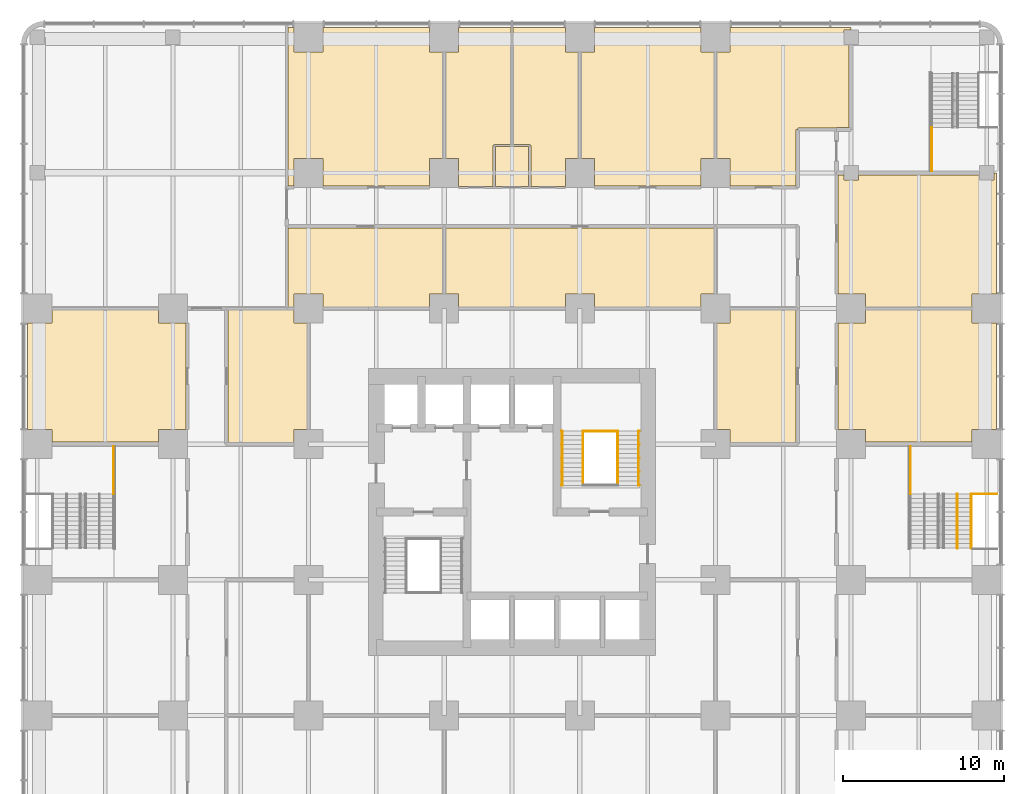
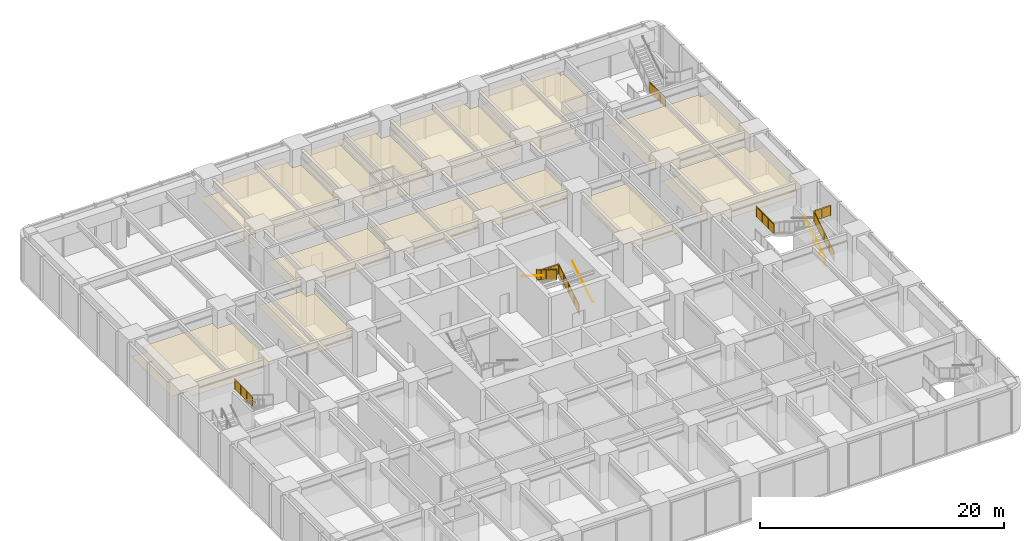
# One storey, part 16 of 17: 13 coverings, 11 railings.
"""IFC4 building model written with IfcOpenShell, lengths in metres."""

import ifcopenshell
import ifcopenshell.guid

model = None  # the IFC model being written
_history = None  # IfcOwnerHistory: only IFC2X3 demands one
_inside = {}  # id of a spatial element -> (the spatial element, [elements in it])
_under = {}  # id of a project, library or spatial element -> (it, [spatial elements below it])
_declared = {}  # id of a project -> (the project, [libraries it declares])
_typed = {}  # id of a type object -> (the type object, [elements of that type])
_made_of = {}  # id of a material, layer set ... -> (it, [elements and type objects made of it])


def new_model(schema):
    """Start an empty IFC model of exactly this schema.

    Asked for "IFC4X3", IfcOpenShell would pick the latest addendum, in which some entities
    have other attributes; the version numbers below select the first issue.
    IFC2X3 requires an IfcOwnerHistory on every rooted entity: one is made here for all.
    """
    global model, _history
    if schema == "IFC4X3":
        model = ifcopenshell.file(schema_version=(4, 3, 0, 0))
    else:
        model = ifcopenshell.file(schema=schema)
    _inside.clear()
    _under.clear()
    _declared.clear()
    _typed.clear()
    _made_of.clear()
    _history = None
    if model.schema == "IFC2X3":
        org = make("IfcOrganization", Name="unknown")
        user = make(
            "IfcPersonAndOrganization",
            ThePerson=make("IfcPerson", FamilyName="unknown"),
            TheOrganization=org,
        )
        app = make(
            "IfcApplication",
            ApplicationDeveloper=org,
            Version="unknown",
            ApplicationFullName="unknown",
            ApplicationIdentifier="unknown",
        )
        _history = make(
            "IfcOwnerHistory",
            OwningUser=user,
            OwningApplication=app,
            ChangeAction="ADDED",
            CreationDate=0,
        )
    return model


def make(cls, **values):
    """One entity of the class cls with the attributes given. An attribute that is None is left unset."""
    return model.create_entity(
        cls, **{name: value for name, value in values.items() if value is not None}
    )


def rooted(cls, **values):
    """An entity with a GlobalId (a new one), such as an element, a storey or a relation."""
    return make(cls, GlobalId=ifcopenshell.guid.new(), OwnerHistory=_history, **values)


def si_unit(unit_type, name, prefix=None):
    """IfcSIUnit, for example si_unit("LENGTHUNIT", "METRE", prefix="MILLI")."""
    return make("IfcSIUnit", UnitType=unit_type, Prefix=prefix, Name=name)


def assignment(units):
    """IfcUnitAssignment: the units of a project."""
    return None if units is None else make("IfcUnitAssignment", Units=units)


def point(xyz):
    """IfcCartesianPoint."""
    return None if xyz is None else make("IfcCartesianPoint", Coordinates=xyz)


def direction(xyz):
    """IfcDirection."""
    return None if xyz is None else make("IfcDirection", DirectionRatios=xyz)


def frame(location, z_axis=None, x_axis=None):
    """IfcAxis2Placement3D, a coordinate frame: its origin and axes. An axis left out is left unset."""
    return make(
        "IfcAxis2Placement3D",
        Location=point(location),
        Axis=direction(z_axis),
        RefDirection=direction(x_axis),
    )


def frame_2d(location, x_axis=None):
    """IfcAxis2Placement2D, a coordinate frame in the plane: its origin and x axis."""
    return make(
        "IfcAxis2Placement2D", Location=point(location), RefDirection=direction(x_axis)
    )


def origin():
    """The frame at (0, 0, 0) with its axes left unset."""
    return frame((0.0, 0.0, 0.0))


def origin_2d():
    """The frame at (0, 0) in the plane with its x axis left unset."""
    return frame_2d((0.0, 0.0))


def place(relative_to, where):
    """IfcLocalPlacement: puts the frame where relative to a parent placement (None: the world)."""
    return make(
        "IfcLocalPlacement", PlacementRelTo=relative_to, RelativePlacement=where
    )


def context(
    kind, dimensions, precision=None, world=None, true_north=None, identifier=None
):
    """IfcGeometricRepresentationContext, for example the 3D "Model" context."""
    return make(
        "IfcGeometricRepresentationContext",
        ContextIdentifier=identifier,
        ContextType=kind,
        CoordinateSpaceDimension=dimensions,
        Precision=precision,
        WorldCoordinateSystem=world,
        TrueNorth=true_north,
    )


def subcontext(parent, identifier, kind, view, scale=None):
    """IfcGeometricRepresentationSubContext, for example "Body" below "Model"."""
    return make(
        "IfcGeometricRepresentationSubContext",
        ContextIdentifier=identifier,
        ContextType=kind,
        ParentContext=parent,
        TargetScale=scale,
        TargetView=view,
    )


def project(units=None, contexts=None):
    """IfcProject with its units and contexts."""
    return rooted(
        "IfcProject",
        Name="project",
        RepresentationContexts=contexts,
        UnitsInContext=assignment(units),
    )


def spatial(cls, under=None, at=None, **own):
    """A site, building, storey or space (cls), placed at a placement, below another one or the project."""
    s = rooted(cls, ObjectPlacement=at, **own)
    if under is not None:
        _under.setdefault(under.id(), (under, []))[1].append(s)
    return s


def polyline(points):
    """IfcPolyline through the points."""
    return make("IfcPolyline", Points=[point(p) for p in points])


def profile(cls, at=None, kind="AREA", **sizes):
    """A parametric profile (cls). Its sizes go by their IFC names, for example OverallWidth=200.0."""
    return make(cls, ProfileType=kind, Position=at, **sizes)


def circle(**sizes):
    """IfcCircleProfileDef."""
    return profile("IfcCircleProfileDef", **sizes)


def outline(outer, holes=None, kind="AREA"):
    """IfcArbitraryClosedProfileDef: a profile drawn as a closed curve; with holes, ...WithVoids."""
    if holes is None:
        return make("IfcArbitraryClosedProfileDef", ProfileType=kind, OuterCurve=outer)
    return make(
        "IfcArbitraryProfileDefWithVoids",
        ProfileType=kind,
        OuterCurve=outer,
        InnerCurves=holes,
    )


def extrude(swept, where, along, depth):
    """IfcExtrudedAreaSolid: the profile swept, set in the frame where, extruded along a direction by depth."""
    return make(
        "IfcExtrudedAreaSolid",
        SweptArea=swept,
        Position=where,
        ExtrudedDirection=direction(along),
        Depth=depth,
    )


def shape(context_of_items, identifier, shape_type, items):
    """IfcShapeRepresentation: the items that make up one representation, for example the "Body"."""
    return make(
        "IfcShapeRepresentation",
        ContextOfItems=context_of_items,
        RepresentationIdentifier=identifier,
        RepresentationType=shape_type,
        Items=items,
    )


def material(Name=None, Category=None):
    """IfcMaterial."""
    return make("IfcMaterial", Name=Name, Category=Category)


def layer(
    of_material, thickness, ventilated=None, Name=None, Category=None, Priority=None
):
    """IfcMaterialLayer: one layer of a wall or slab, of a material (None: an air gap)."""
    return make(
        "IfcMaterialLayer",
        Material=of_material,
        LayerThickness=thickness,
        IsVentilated=ventilated,
        Name=Name,
        Category=Category,
        Priority=Priority,
    )


def layer_set(layers, Name=None):
    """IfcMaterialLayerSet."""
    return make("IfcMaterialLayerSet", MaterialLayers=layers, LayerSetName=Name)


def made_of(thing, what):
    """Note that an element or type object is made of a material, layer set ...; save() writes the relation."""
    if what is not None:
        _made_of.setdefault(what.id(), (what, []))[1].append(thing)
    return thing


def type_object(cls, material=None, **own):
    """A type object (cls), such as IfcWallType, which elements share."""
    return made_of(rooted(cls, **own), material)


def element(
    cls,
    number,
    at=None,
    inside=None,
    cuts=None,
    type_object=None,
    material=None,
    context=None,
    identifier="Body",
    shape_type=None,
    held_by="IfcProductDefinitionShape",
    body=None,
    shapes=None,
    **own,
):
    """One element of the class cls, such as IfcWall. Its Tag is "e" and its number.

    at: its placement. inside: the storey or other place that contains it. cuts: it is an
    opening in that element (IfcRelVoidsElement). A single representation is given by context,
    identifier, shape_type and body (its items); several are given by shapes. held_by: the class
    of the entity that holds the representations. save() writes the other relations.
    """
    e = rooted(cls, Tag="e%d" % number, ObjectPlacement=at, **own)
    if body is not None:
        shapes = [shape(context, identifier, shape_type, body)]
    if shapes is not None:
        e.Representation = make(held_by, Representations=shapes)
    if inside is not None:
        _inside.setdefault(inside.id(), (inside, []))[1].append(e)
    if cuts is not None:
        rooted(
            "IfcRelVoidsElement", RelatingBuildingElement=cuts, RelatedOpeningElement=e
        )
    if type_object is not None:
        _typed.setdefault(type_object.id(), (type_object, []))[1].append(e)
    return made_of(e, material)


def aggregate(whole, parts):
    """IfcRelAggregates: a whole, such as a stair, and the parts it consists of."""
    return rooted("IfcRelAggregates", RelatingObject=whole, RelatedObjects=parts)


def save(model, path):
    """Write the relations noted so far, then the file.

    IfcRelAggregates (storeys below a building ...), IfcRelContainedInSpatialStructure (elements
    in a storey), IfcRelDefinesByType, IfcRelAssociatesMaterial and IfcRelDeclares: one each for
    every whole, place, type object, material and project.
    """
    for whole, parts in _under.values():
        aggregate(whole, parts)
    for where, things in _inside.values():
        rooted(
            "IfcRelContainedInSpatialStructure",
            RelatedElements=things,
            RelatingStructure=where,
        )
    for kind, things in _typed.values():
        rooted("IfcRelDefinesByType", RelatedObjects=things, RelatingType=kind)
    for what, things in _made_of.values():
        rooted("IfcRelAssociatesMaterial", RelatedObjects=things, RelatingMaterial=what)
    for by, libraries in _declared.values():
        rooted("IfcRelDeclares", RelatingContext=by, RelatedDefinitions=libraries)
    model.write(path)


model = new_model("IFC4")

# Units and contexts
model_context = context("Model", 3, precision=1e-05, world=origin(), true_north=direction((0.0, 1.0)))
body_context = subcontext(model_context, "Body", "Model", "MODEL_VIEW")
ifc_project = project(units=[si_unit("LENGTHUNIT", "METRE"), si_unit("AREAUNIT", "SQUARE_METRE"), si_unit("VOLUMEUNIT", "CUBIC_METRE"), si_unit("PLANEANGLEUNIT", "RADIAN"), si_unit("MASSUNIT", "GRAM", prefix="KILO")], contexts=[model_context])

# Site, building, storey
site_placement = place(None, origin())
site = spatial("IfcSite", under=ifc_project, at=site_placement, CompositionType="ELEMENT")
building_placement = place(site_placement, origin())
building = spatial("IfcBuilding", under=site, at=building_placement, Name="Torre Alcanfor", CompositionType="ELEMENT")
storey_placement = place(building_placement, frame((0.0, 0.0, 19.5)))
storey = spatial("IfcBuildingStorey", under=building, at=storey_placement, Name="L04", CompositionType="ELEMENT", Elevation=19.5)

# Coverings
ifc_material_1 = material(Name="Mineral fibre acoustic tile 20 mm, NRC 0.70, on exposed suspension grid", Category="mineral fibre")
ifc_layer_1 = layer(ifc_material_1, 0.02001953125)
ifc_layer_set_1 = layer_set([ifc_layer_1], Name="Acoustic suspended ceiling 600x600 mineral fibre tile")
covering_type_1 = type_object("IfcCoveringType", Name="Acoustic suspended ceiling 600x600 mineral fibre tile", PredefinedType="CEILING", material=ifc_layer_set_1)
covering_1_placement = place(storey_placement, frame((0.0, 0.0, 2.75)))
element("IfcCovering", 1, at=covering_1_placement, inside=storey, type_object=covering_type_1, Name="Ceiling L04-12", PredefinedType="CEILING", context=body_context, shape_type="SweptSolid", body=[
    extrude(outline(polyline([(0.89990234375, 41.925048828125), (0.89990234375, 41.10009765625), (-0.625, 41.10009765625), (-0.625, 34.5), (0.89990234375, 34.5), (0.89990234375, 33.72509765625), (7.5, 33.72509765625), (7.5, 34.5), (9.199951171875, 34.5), (9.199951171875, 41.10009765625), (7.5, 41.10009765625), (7.5, 41.925048828125), (0.89990234375, 41.925048828125)])), origin(), (0.0, 0.0, 1.0), 0.02001953125),
])
covering_2_placement = place(storey_placement, frame((0.0, 0.0, 2.75)))
element("IfcCovering", 2, at=covering_2_placement, inside=storey, type_object=covering_type_1, Name="Ceiling L04-13", PredefinedType="CEILING", context=body_context, shape_type="SweptSolid", body=[
    extrude(outline(polyline([(51.300048828125, 41.925048828125), (51.300048828125, 41.10009765625), (49.60009765625, 41.10009765625), (49.60009765625, 34.5), (51.300048828125, 34.5), (51.300048828125, 33.72509765625), (57.89990234375, 33.72509765625), (57.89990234375, 34.5), (59.425048828125, 34.5), (59.425048828125, 41.10009765625), (57.89990234375, 41.10009765625), (57.89990234375, 41.925048828125), (51.300048828125, 41.925048828125)])), origin(), (0.0, 0.0, 1.0), 0.02001953125),
])
covering_3_placement = place(storey_placement, frame((0.0, 0.0, 2.75)))
element("IfcCovering", 3, at=covering_3_placement, inside=storey, type_object=covering_type_1, Name="Ceiling L04-14", PredefinedType="CEILING", context=body_context, shape_type="SweptSolid", body=[
    extrude(outline(polyline([(58.35009765625, 50.27490234375), (50.85009765625, 50.27490234375), (50.85009765625, 49.949951171875), (49.949951171875, 49.949951171875), (49.949951171875, 50.27490234375), (49.60009765625, 50.27490234375), (49.60009765625, 42.89990234375), (51.300048828125, 42.89990234375), (51.300048828125, 42.074951171875), (57.89990234375, 42.074951171875), (57.89990234375, 42.89990234375), (59.425048828125, 42.89990234375), (59.425048828125, 50.39990234375), (59.25, 50.39990234375), (59.25, 49.949951171875), (58.35009765625, 49.949951171875), (58.35009765625, 50.27490234375)])), origin(), (0.0, 0.0, 1.0), 0.02001953125),
])
covering_4_placement = place(storey_placement, frame((0.0, 0.0, 2.75)))
element("IfcCovering", 4, at=covering_4_placement, inside=storey, type_object=covering_type_1, Name="Ceiling L04-15", PredefinedType="CEILING", context=body_context, shape_type="SweptSolid", body=[
    extrude(outline(polyline([(17.699951171875, 57.89990234375), (15.89990234375, 57.89990234375), (15.89990234375, 59.425048828125), (15.52490234375, 59.425048828125), (15.52490234375, 49.60009765625), (15.89990234375, 49.60009765625), (15.89990234375, 51.300048828125), (17.699951171875, 51.300048828125), (17.699951171875, 49.60009765625), (24.300048828125, 49.60009765625), (24.300048828125, 51.300048828125), (25.125, 51.300048828125), (25.125, 57.89990234375), (24.300048828125, 57.89990234375), (24.300048828125, 59.425048828125), (17.699951171875, 59.425048828125), (17.699951171875, 57.89990234375)])), origin(), (0.0, 0.0, 1.0), 0.02001953125),
])
covering_5_placement = place(storey_placement, frame((0.0, 0.0, 2.75)))
element("IfcCovering", 5, at=covering_5_placement, inside=storey, type_object=covering_type_1, Name="Ceiling L04-16", PredefinedType="CEILING", context=body_context, shape_type="SweptSolid", body=[
    extrude(outline(polyline([(33.675048828125, 51.300048828125), (34.5, 51.300048828125), (34.5, 49.60009765625), (41.10009765625, 49.60009765625), (41.10009765625, 51.300048828125), (41.925048828125, 51.300048828125), (41.925048828125, 57.89990234375), (41.10009765625, 57.89990234375), (41.10009765625, 59.425048828125), (34.5, 59.425048828125), (34.5, 57.89990234375), (33.675048828125, 57.89990234375), (33.675048828125, 51.300048828125)])), origin(), (0.0, 0.0, 1.0), 0.02001953125),
])
covering_6_placement = place(storey_placement, frame((0.0, 0.0, 2.75)))
element("IfcCovering", 6, at=covering_6_placement, inside=storey, type_object=covering_type_1, Name="Ceiling L04-18", PredefinedType="CEILING", context=body_context, shape_type="SweptSolid", body=[
    extrude(outline(polyline([(42.074951171875, 51.300048828125), (42.89990234375, 51.300048828125), (42.89990234375, 49.60009765625), (47.0, 49.60009765625), (47.0, 53.10009765625), (47.10009765625, 53.10009765625), (47.10009765625, 53.199951171875), (49.5, 53.199951171875), (49.5, 53.22509765625), (50.27490234375, 53.22509765625), (50.27490234375, 58.35009765625), (49.949951171875, 58.35009765625), (49.949951171875, 59.25), (50.39990234375, 59.25), (50.39990234375, 59.425048828125), (42.89990234375, 59.425048828125), (42.89990234375, 57.89990234375), (42.074951171875, 57.89990234375), (42.074951171875, 51.300048828125)])), origin(), (0.0, 0.0, 1.0), 0.02001953125),
])
covering_7_placement = place(storey_placement, frame((0.0, 0.0, 3.0)))
element("IfcCovering", 7, at=covering_7_placement, inside=storey, type_object=covering_type_1, Name="Ceiling L04-I06", PredefinedType="CEILING", context=body_context, shape_type="SweptSolid", body=[
    extrude(outline(polyline([(15.89990234375, 33.699951171875), (15.89990234375, 34.5), (16.699951171875, 34.5), (16.699951171875, 41.10009765625), (15.89990234375, 41.10009765625), (15.89990234375, 41.925048828125), (11.800048828125, 41.925048828125), (11.800048828125, 33.699951171875), (15.89990234375, 33.699951171875)])), origin(), (0.0, 0.0, 1.0), 0.02001953125),
])
covering_8_placement = place(storey_placement, frame((0.0, 0.0, 3.0)))
element("IfcCovering", 8, at=covering_8_placement, inside=storey, type_object=covering_type_1, Name="Ceiling L04-I07", PredefinedType="CEILING", context=body_context, shape_type="SweptSolid", body=[
    extrude(outline(polyline([(42.89990234375, 41.925048828125), (42.89990234375, 41.10009765625), (42.10009765625, 41.10009765625), (42.10009765625, 34.5), (42.89990234375, 34.5), (42.89990234375, 33.699951171875), (47.0, 33.699951171875), (47.0, 41.925048828125), (42.89990234375, 41.925048828125)])), origin(), (0.0, 0.0, 1.0), 0.02001953125),
])
covering_9_placement = place(storey_placement, frame((0.0, 0.0, 3.0)))
element("IfcCovering", 9, at=covering_9_placement, inside=storey, type_object=covering_type_1, Name="Ceiling L04-I08", PredefinedType="CEILING", context=body_context, shape_type="SweptSolid", body=[
    extrude(outline(polyline([(24.300048828125, 42.10009765625), (24.300048828125, 42.89990234375), (25.125, 42.89990234375), (25.125, 47.0), (15.52490234375, 47.0), (15.52490234375, 42.074951171875), (15.89990234375, 42.074951171875), (15.89990234375, 42.89990234375), (17.699951171875, 42.89990234375), (17.699951171875, 42.10009765625), (24.300048828125, 42.10009765625)])), origin(), (0.0, 0.0, 1.0), 0.02001953125),
])
covering_10_placement = place(storey_placement, frame((0.0, 0.0, 3.0)))
element("IfcCovering", 10, at=covering_10_placement, inside=storey, type_object=covering_type_1, Name="Ceiling L04-I09", PredefinedType="CEILING", context=body_context, shape_type="SweptSolid", body=[
    extrude(outline(polyline([(41.10009765625, 42.10009765625), (41.10009765625, 42.89990234375), (41.925048828125, 42.89990234375), (41.925048828125, 47.0), (25.27490234375, 47.0), (25.27490234375, 42.89990234375), (26.10009765625, 42.89990234375), (26.10009765625, 42.10009765625), (32.699951171875, 42.10009765625), (32.699951171875, 42.89990234375), (34.5, 42.89990234375), (34.5, 42.10009765625), (41.10009765625, 42.10009765625)])), origin(), (0.0, 0.0, 1.0), 0.02001953125),
])
ifc_material_2 = material(Name="Moisture-resistant gypsum plasterboard 12.5 mm on concealed suspension frame", Category="gypsum")
ifc_layer_2 = layer(ifc_material_2, 0.012451171875)
ifc_layer_set_2 = layer_set([ifc_layer_2], Name="Moisture-resistant plasterboard ceiling 12.5")
covering_type_2 = type_object("IfcCoveringType", Name="Moisture-resistant plasterboard ceiling 12.5", PredefinedType="CEILING", material=ifc_layer_set_2)
covering_11_placement = place(storey_placement, frame((0.0, 0.0, 2.75)))
element("IfcCovering", 11, at=covering_11_placement, inside=storey, type_object=covering_type_2, Name="Ceiling L04-WCN1", PredefinedType="CEILING", context=body_context, shape_type="SweptSolid", body=[
    extrude(outline(polyline([(25.27490234375, 51.300048828125), (26.10009765625, 51.300048828125), (26.10009765625, 49.574951171875), (28.22509765625, 49.574951171875), (28.22509765625, 52.10009765625), (28.300048828125, 52.10009765625), (28.300048828125, 52.175048828125), (29.324951171875, 52.175048828125), (29.324951171875, 59.425048828125), (26.10009765625, 59.425048828125), (26.10009765625, 57.89990234375), (25.27490234375, 57.89990234375), (25.27490234375, 51.300048828125)])), origin(), (0.0, 0.0, 1.0), 0.012451171875),
])
covering_12_placement = place(storey_placement, frame((0.0, 0.0, 3.0)))
element("IfcCovering", 12, at=covering_12_placement, inside=storey, type_object=covering_type_2, Name="Ceiling L04-WCN2", PredefinedType="CEILING", context=body_context, shape_type="SweptSolid", body=[
    extrude(outline(polyline([(30.425048828125, 52.02490234375), (28.375, 52.02490234375), (28.375, 49.574951171875), (30.425048828125, 49.574951171875), (30.425048828125, 52.02490234375)])), origin(), (0.0, 0.0, 1.0), 0.012451171875),
])
covering_13_placement = place(storey_placement, frame((0.0, 0.0, 2.75)))
element("IfcCovering", 13, at=covering_13_placement, inside=storey, type_object=covering_type_2, Name="Ceiling L04-WCN3", PredefinedType="CEILING", context=body_context, shape_type="SweptSolid", body=[
    extrude(outline(polyline([(33.52490234375, 57.89990234375), (32.699951171875, 57.89990234375), (32.699951171875, 59.425048828125), (29.47509765625, 59.425048828125), (29.47509765625, 52.175048828125), (30.5, 52.175048828125), (30.5, 52.10009765625), (30.574951171875, 52.10009765625), (30.574951171875, 49.574951171875), (32.699951171875, 49.574951171875), (32.699951171875, 51.300048828125), (33.52490234375, 51.300048828125), (33.52490234375, 57.89990234375)])), origin(), (0.0, 0.0, 1.0), 0.012451171875),
])

# Railings
ifc_material_3 = material(Name="Steel ASTM A500 Grade C hollow sections", Category="steel")
railing_type_1 = type_object("IfcRailingType", Name="Stair guard and handrail 1100", PredefinedType="GUARDRAIL", material=ifc_material_3)
railing_1_placement = place(storey_placement, frame((35.949951171875, 31.050048828125, 0.173095703125)))
element("IfcRailing", 14, at=railing_1_placement, inside=storey, type_object=railing_type_1, Name="Stair guard S2 L04 flight 1", PredefinedType="GUARDRAIL", context=body_context, shape_type="SweptSolid", body=[
    extrude(circle(Radius=0.02392578125, at=origin_2d()), frame((0.0, 0.0, 1.076171875), z_axis=(0.0, 0.850606129759, 0.525803396734), x_axis=(-1.0, 0.0, 0.0)), (0.0, 0.0, 1.0), 3.949951171875),
    extrude(circle(Radius=0.02099609375, at=origin_2d()), origin(), (0.0, 0.0, 1.0), 1.052001953125),
    extrude(circle(Radius=0.02099609375, at=origin_2d()), frame((0.0, 0.83984375, 0.519287109375)), (0.0, 0.0, 1.0), 1.052001953125),
    extrude(circle(Radius=0.02099609375, at=origin_2d()), frame((0.0, 1.679931640625, 1.03857421875)), (0.0, 0.0, 1.0), 1.052001953125),
    extrude(circle(Radius=0.02099609375, at=origin_2d()), frame((0.0, 2.52001953125, 1.5576171875)), (0.0, 0.0, 1.0), 1.052001953125),
    extrude(circle(Radius=0.02099609375, at=origin_2d()), frame((0.0, 3.35986328125, 2.076904296875)), (0.0, 0.0, 1.0), 1.052001953125),
    extrude(outline(polyline([(0.041015625, 0.075439453125), (0.799072265625, 0.5439453125), (0.799072265625, 1.495849609375), (0.041015625, 1.02734375), (0.041015625, 0.075439453125)])), frame((-0.005859375, 0.0, 0.0), z_axis=(1.0, 0.0, 0.0), x_axis=(0.0, 1.0, 0.0)), (0.0, 0.0, 1.0), 0.011962890625),
    extrude(outline(polyline([(0.880859375, 0.594482421875), (1.638916015625, 1.06298828125), (1.638916015625, 2.01513671875), (0.880859375, 1.546630859375), (0.880859375, 0.594482421875)])), frame((-0.005859375, 0.0, 0.0), z_axis=(1.0, 0.0, 0.0), x_axis=(0.0, 1.0, 0.0)), (0.0, 0.0, 1.0), 0.011962890625),
    extrude(outline(polyline([(1.720947265625, 1.11376953125), (2.47900390625, 1.582275390625), (2.47900390625, 2.534423828125), (1.720947265625, 2.06591796875), (1.720947265625, 1.11376953125)])), frame((-0.005859375, 0.0, 0.0), z_axis=(1.0, 0.0, 0.0), x_axis=(0.0, 1.0, 0.0)), (0.0, 0.0, 1.0), 0.011962890625),
    extrude(outline(polyline([(2.560791015625, 1.633056640625), (3.31884765625, 2.1015625), (3.31884765625, 3.053466796875), (2.560791015625, 2.5849609375), (2.560791015625, 1.633056640625)])), frame((-0.005859375, 0.0, 0.0), z_axis=(1.0, 0.0, 0.0), x_axis=(0.0, 1.0, 0.0)), (0.0, 0.0, 1.0), 0.011962890625),
])
railing_2_placement = place(storey_placement, frame((33.800048828125, 34.409912109375, 2.423095703125)))
element("IfcRailing", 15, at=railing_2_placement, inside=storey, type_object=railing_type_1, Name="Stair guard S2 L04 flight 2", PredefinedType="GUARDRAIL", context=body_context, shape_type="SweptSolid", body=[
    extrude(circle(Radius=0.02392578125, at=origin_2d()), frame((0.0, 0.0, 1.076171875), z_axis=(0.0, -0.850606129759, 0.525803396734), x_axis=(1.0, 0.0, 0.0)), (0.0, 0.0, 1.0), 3.949951171875),
    extrude(circle(Radius=0.02099609375, at=origin_2d()), origin(), (0.0, 0.0, 1.0), 1.052001953125),
    extrude(circle(Radius=0.02099609375, at=origin_2d()), frame((0.0, -0.83984375, 0.519287109375)), (0.0, 0.0, 1.0), 1.052001953125),
    extrude(circle(Radius=0.02099609375, at=origin_2d()), frame((0.0, -1.679931640625, 1.03857421875)), (0.0, 0.0, 1.0), 1.052001953125),
    extrude(circle(Radius=0.02099609375, at=origin_2d()), frame((0.0, -2.52001953125, 1.5576171875)), (0.0, 0.0, 1.0), 1.052001953125),
    extrude(circle(Radius=0.02099609375, at=origin_2d()), frame((0.0, -3.35986328125, 2.076904296875)), (0.0, 0.0, 1.0), 1.052001953125),
    extrude(outline(polyline([(0.041015625, 0.075439453125), (0.799072265625, 0.5439453125), (0.799072265625, 1.495849609375), (0.041015625, 1.02734375), (0.041015625, 0.075439453125)])), frame((0.005859375, 0.0, 0.0), z_axis=(-1.0, 0.0, 0.0), x_axis=(0.0, -1.0, 0.0)), (0.0, 0.0, 1.0), 0.011962890625),
    extrude(outline(polyline([(0.880859375, 0.594482421875), (1.638916015625, 1.06298828125), (1.638916015625, 2.01513671875), (0.880859375, 1.546630859375), (0.880859375, 0.594482421875)])), frame((0.005859375, 0.0, 0.0), z_axis=(-1.0, 0.0, 0.0), x_axis=(0.0, -1.0, 0.0)), (0.0, 0.0, 1.0), 0.011962890625),
    extrude(outline(polyline([(1.720947265625, 1.11376953125), (2.47900390625, 1.582275390625), (2.47900390625, 2.534423828125), (1.720947265625, 2.06591796875), (1.720947265625, 1.11376953125)])), frame((0.005859375, 0.0, 0.0), z_axis=(-1.0, 0.0, 0.0), x_axis=(0.0, -1.0, 0.0)), (0.0, 0.0, 1.0), 0.011962890625),
    extrude(outline(polyline([(2.560791015625, 1.633056640625), (3.31884765625, 2.1015625), (3.31884765625, 3.053466796875), (2.560791015625, 2.5849609375), (2.560791015625, 1.633056640625)])), frame((0.005859375, 0.0, 0.0), z_axis=(-1.0, 0.0, 0.0), x_axis=(0.0, -1.0, 0.0)), (0.0, 0.0, 1.0), 0.011962890625),
])
railing_3_placement = place(storey_placement, frame((33.800048828125, 34.409912109375, 2.25)))
element("IfcRailing", 16, at=railing_3_placement, inside=storey, type_object=railing_type_1, Name="Stair well guard S2 L04 half landing", PredefinedType="GUARDRAIL", context=body_context, shape_type="SweptSolid", body=[
    extrude(circle(Radius=0.02392578125, at=origin_2d()), frame((0.0, 0.0, 1.076171875), z_axis=(1.0, 0.0, 0.0), x_axis=(0.0, 1.0, 0.0)), (0.0, 0.0, 1.0), 2.14990234375),
    extrude(circle(Radius=0.02099609375, at=origin_2d()), origin(), (0.0, 0.0, 1.0), 1.052001953125),
    extrude(circle(Radius=0.02099609375, at=origin_2d()), frame((1.074951171875, 0.0, 0.0)), (0.0, 0.0, 1.0), 1.052001953125),
    extrude(circle(Radius=0.02099609375, at=origin_2d()), frame((2.14990234375, 0.0, 0.0)), (0.0, 0.0, 1.0), 1.052001953125),
    extrude(outline(polyline([(0.041015625, 0.050048828125), (1.033935546875, 0.050048828125), (1.033935546875, 1.001953125), (0.041015625, 1.001953125), (0.041015625, 0.050048828125)])), frame((0.0, 0.005859375, 0.0), z_axis=(0.0, -1.0, 0.0), x_axis=(1.0, 0.0, 0.0)), (0.0, 0.0, 1.0), 0.011962890625),
    extrude(outline(polyline([(1.115966796875, 0.050048828125), (2.10888671875, 0.050048828125), (2.10888671875, 1.001953125), (1.115966796875, 1.001953125), (1.115966796875, 0.050048828125)])), frame((0.0, 0.005859375, 0.0), z_axis=(0.0, -1.0, 0.0), x_axis=(1.0, 0.0, 0.0)), (0.0, 0.0, 1.0), 0.011962890625),
])
railing_4_placement = place(storey_placement, frame((4.7099609375, 30.514892578125, 2.25)))
element("IfcRailing", 17, at=railing_4_placement, inside=storey, type_object=railing_type_1, Name="Stair guard SS1 L04 half landing", PredefinedType="GUARDRAIL", context=body_context, shape_type="SweptSolid", body=[
    extrude(circle(Radius=0.02392578125, at=origin_2d()), frame((0.0, 0.0, 1.076171875), z_axis=(0.0, 1.0, 0.0), x_axis=(-1.0, 0.0, 0.0)), (0.0, 0.0, 1.0), 2.9501953125),
    extrude(circle(Radius=0.02099609375, at=origin_2d()), origin(), (0.0, 0.0, 1.0), 1.052001953125),
    extrude(circle(Radius=0.02099609375, at=origin_2d()), frame((0.0, 0.9833984375, 0.0)), (0.0, 0.0, 1.0), 1.052001953125),
    extrude(circle(Radius=0.02099609375, at=origin_2d()), frame((0.0, 1.966796875, 0.0)), (0.0, 0.0, 1.0), 1.052001953125),
    extrude(circle(Radius=0.02099609375, at=origin_2d()), frame((0.0, 2.9501953125, 0.0)), (0.0, 0.0, 1.0), 1.052001953125),
    extrude(outline(polyline([(0.041015625, 0.050048828125), (0.9423828125, 0.050048828125), (0.9423828125, 1.001953125), (0.041015625, 1.001953125), (0.041015625, 0.050048828125)])), frame((-0.005859375, 0.0, 0.0), z_axis=(1.0, 0.0, 0.0), x_axis=(0.0, 1.0, 0.0)), (0.0, 0.0, 1.0), 0.011962890625),
    extrude(outline(polyline([(1.0244140625, 0.050048828125), (1.92578125, 0.050048828125), (1.92578125, 1.001953125), (1.0244140625, 1.001953125), (1.0244140625, 0.050048828125)])), frame((-0.005859375, 0.0, 0.0), z_axis=(1.0, 0.0, 0.0), x_axis=(0.0, 1.0, 0.0)), (0.0, 0.0, 1.0), 0.011962890625),
    extrude(outline(polyline([(2.0078125, 0.050048828125), (2.9091796875, 0.050048828125), (2.9091796875, 1.001953125), (2.0078125, 1.001953125), (2.0078125, 0.050048828125)])), frame((-0.005859375, 0.0, 0.0), z_axis=(1.0, 0.0, 0.0), x_axis=(0.0, 1.0, 0.0)), (0.0, 0.0, 1.0), 0.011962890625),
])
railing_5_placement = place(storey_placement, frame((57.85009765625, 27.155029296875, 0.173095703125)))
element("IfcRailing", 18, at=railing_5_placement, inside=storey, type_object=railing_type_1, Name="Stair guard SS2 L04 flight 1", PredefinedType="GUARDRAIL", context=body_context, shape_type="SweptSolid", body=[
    extrude(circle(Radius=0.02392578125, at=origin_2d()), frame((0.0, 0.0, 1.076171875), z_axis=(0.0, 0.850606129759, 0.525803396734), x_axis=(-1.0, 0.0, 0.0)), (0.0, 0.0, 1.0), 3.949951171875),
    extrude(circle(Radius=0.02099609375, at=origin_2d()), origin(), (0.0, 0.0, 1.0), 1.052001953125),
    extrude(circle(Radius=0.02099609375, at=origin_2d()), frame((0.0, 0.83984375, 0.519287109375)), (0.0, 0.0, 1.0), 1.052001953125),
    extrude(circle(Radius=0.02099609375, at=origin_2d()), frame((0.0, 1.679931640625, 1.03857421875)), (0.0, 0.0, 1.0), 1.052001953125),
    extrude(circle(Radius=0.02099609375, at=origin_2d()), frame((0.0, 2.52001953125, 1.5576171875)), (0.0, 0.0, 1.0), 1.052001953125),
    extrude(circle(Radius=0.02099609375, at=origin_2d()), frame((0.0, 3.35986328125, 2.076904296875)), (0.0, 0.0, 1.0), 1.052001953125),
    extrude(outline(polyline([(0.041015625, 0.075439453125), (0.799072265625, 0.5439453125), (0.799072265625, 1.495849609375), (0.041015625, 1.02734375), (0.041015625, 0.075439453125)])), frame((-0.005859375, 0.0, 0.0), z_axis=(1.0, 0.0, 0.0), x_axis=(0.0, 1.0, 0.0)), (0.0, 0.0, 1.0), 0.011962890625),
    extrude(outline(polyline([(0.880859375, 0.594482421875), (1.638916015625, 1.06298828125), (1.638916015625, 2.01513671875), (0.880859375, 1.546630859375), (0.880859375, 0.594482421875)])), frame((-0.005859375, 0.0, 0.0), z_axis=(1.0, 0.0, 0.0), x_axis=(0.0, 1.0, 0.0)), (0.0, 0.0, 1.0), 0.011962890625),
    extrude(outline(polyline([(1.720947265625, 1.11376953125), (2.47900390625, 1.582275390625), (2.47900390625, 2.534423828125), (1.720947265625, 2.06591796875), (1.720947265625, 1.11376953125)])), frame((-0.005859375, 0.0, 0.0), z_axis=(1.0, 0.0, 0.0), x_axis=(0.0, 1.0, 0.0)), (0.0, 0.0, 1.0), 0.011962890625),
    extrude(outline(polyline([(2.560791015625, 1.633056640625), (3.31884765625, 2.1015625), (3.31884765625, 3.053466796875), (2.560791015625, 2.5849609375), (2.560791015625, 1.633056640625)])), frame((-0.005859375, 0.0, 0.0), z_axis=(1.0, 0.0, 0.0), x_axis=(0.0, 1.0, 0.0)), (0.0, 0.0, 1.0), 0.011962890625),
])
railing_6_placement = place(storey_placement, frame((59.449951171875, 30.514892578125, 2.25)))
element("IfcRailing", 19, at=railing_6_placement, inside=storey, type_object=railing_type_1, Name="Stair guard SS2 L04 half landing facade strip", PredefinedType="GUARDRAIL", context=body_context, shape_type="SweptSolid", body=[
    extrude(circle(Radius=0.02392578125, at=origin_2d()), frame((0.0, 0.0, 1.076171875), z_axis=(-1.0, 0.0, 0.0), x_axis=(0.0, -1.0, 0.0)), (0.0, 0.0, 1.0), 1.550048828125),
    extrude(circle(Radius=0.02099609375, at=origin_2d()), origin(), (0.0, 0.0, 1.0), 1.052001953125),
    extrude(circle(Radius=0.02099609375, at=origin_2d()), frame((-0.77490234375, 0.0, 0.0)), (0.0, 0.0, 1.0), 1.052001953125),
    extrude(circle(Radius=0.02099609375, at=origin_2d()), frame((-1.550048828125, 0.0, 0.0)), (0.0, 0.0, 1.0), 1.052001953125),
    extrude(outline(polyline([(0.041015625, 0.050048828125), (0.734130859375, 0.050048828125), (0.734130859375, 1.001953125), (0.041015625, 1.001953125), (0.041015625, 0.050048828125)])), frame((0.0, -0.005859375, 0.0), z_axis=(0.0, 1.0, 0.0), x_axis=(-1.0, 0.0, 0.0)), (0.0, 0.0, 1.0), 0.011962890625),
    extrude(outline(polyline([(0.81591796875, 0.050048828125), (1.509033203125, 0.050048828125), (1.509033203125, 1.001953125), (0.81591796875, 1.001953125), (0.81591796875, 0.050048828125)])), frame((0.0, -0.005859375, 0.0), z_axis=(0.0, 1.0, 0.0), x_axis=(-1.0, 0.0, 0.0)), (0.0, 0.0, 1.0), 0.011962890625),
])
railing_7_placement = place(storey_placement, frame((54.090087890625, 30.514892578125, 2.25)))
element("IfcRailing", 20, at=railing_7_placement, inside=storey, type_object=railing_type_1, Name="Stair guard SS2 L04 half landing", PredefinedType="GUARDRAIL", context=body_context, shape_type="SweptSolid", body=[
    extrude(circle(Radius=0.02392578125, at=origin_2d()), frame((0.0, 0.0, 1.076171875), z_axis=(0.0, 1.0, 0.0), x_axis=(-1.0, 0.0, 0.0)), (0.0, 0.0, 1.0), 2.9501953125),
    extrude(circle(Radius=0.02099609375, at=origin_2d()), origin(), (0.0, 0.0, 1.0), 1.052001953125),
    extrude(circle(Radius=0.02099609375, at=origin_2d()), frame((0.0, 0.9833984375, 0.0)), (0.0, 0.0, 1.0), 1.052001953125),
    extrude(circle(Radius=0.02099609375, at=origin_2d()), frame((0.0, 1.966796875, 0.0)), (0.0, 0.0, 1.0), 1.052001953125),
    extrude(circle(Radius=0.02099609375, at=origin_2d()), frame((0.0, 2.9501953125, 0.0)), (0.0, 0.0, 1.0), 1.052001953125),
    extrude(outline(polyline([(0.041015625, 0.050048828125), (0.9423828125, 0.050048828125), (0.9423828125, 1.001953125), (0.041015625, 1.001953125), (0.041015625, 0.050048828125)])), frame((-0.005859375, 0.0, 0.0), z_axis=(1.0, 0.0, 0.0), x_axis=(0.0, 1.0, 0.0)), (0.0, 0.0, 1.0), 0.011962890625),
    extrude(outline(polyline([(1.0244140625, 0.050048828125), (1.92578125, 0.050048828125), (1.92578125, 1.001953125), (1.0244140625, 1.001953125), (1.0244140625, 0.050048828125)])), frame((-0.005859375, 0.0, 0.0), z_axis=(1.0, 0.0, 0.0), x_axis=(0.0, 1.0, 0.0)), (0.0, 0.0, 1.0), 0.011962890625),
    extrude(outline(polyline([(2.0078125, 0.050048828125), (2.9091796875, 0.050048828125), (2.9091796875, 1.001953125), (2.0078125, 1.001953125), (2.0078125, 0.050048828125)])), frame((-0.005859375, 0.0, 0.0), z_axis=(1.0, 0.0, 0.0), x_axis=(0.0, 1.0, 0.0)), (0.0, 0.0, 1.0), 0.011962890625),
])
railing_8_placement = place(storey_placement, frame((55.39990234375, 53.215087890625, 2.25)))
element("IfcRailing", 21, at=railing_8_placement, inside=storey, type_object=railing_type_1, Name="Stair guard SS4 L04 half landing", PredefinedType="GUARDRAIL", context=body_context, shape_type="SweptSolid", body=[
    extrude(circle(Radius=0.02392578125, at=origin_2d()), frame((0.0, 0.0, 1.076171875), z_axis=(0.0, -1.0, 0.0), x_axis=(1.0, 0.0, 0.0)), (0.0, 0.0, 1.0), 2.675048828125),
    extrude(circle(Radius=0.02099609375, at=origin_2d()), origin(), (0.0, 0.0, 1.0), 1.052001953125),
    extrude(circle(Radius=0.02099609375, at=origin_2d()), frame((0.0, -0.8916015625, 0.0)), (0.0, 0.0, 1.0), 1.052001953125),
    extrude(circle(Radius=0.02099609375, at=origin_2d()), frame((0.0, -1.783447265625, 0.0)), (0.0, 0.0, 1.0), 1.052001953125),
    extrude(circle(Radius=0.02099609375, at=origin_2d()), frame((0.0, -2.675048828125, 0.0)), (0.0, 0.0, 1.0), 1.052001953125),
    extrude(outline(polyline([(0.041015625, 0.050048828125), (0.8505859375, 0.050048828125), (0.8505859375, 1.001953125), (0.041015625, 1.001953125), (0.041015625, 0.050048828125)])), frame((0.005859375, 0.0, 0.0), z_axis=(-1.0, 0.0, 0.0), x_axis=(0.0, -1.0, 0.0)), (0.0, 0.0, 1.0), 0.011962890625),
    extrude(outline(polyline([(0.9326171875, 0.050048828125), (1.742431640625, 0.050048828125), (1.742431640625, 1.001953125), (0.9326171875, 1.001953125), (0.9326171875, 0.050048828125)])), frame((0.005859375, 0.0, 0.0), z_axis=(-1.0, 0.0, 0.0), x_axis=(0.0, -1.0, 0.0)), (0.0, 0.0, 1.0), 0.011962890625),
    extrude(outline(polyline([(1.824462890625, 0.050048828125), (2.634033203125, 0.050048828125), (2.634033203125, 1.001953125), (1.824462890625, 1.001953125), (1.824462890625, 0.050048828125)])), frame((0.005859375, 0.0, 0.0), z_axis=(-1.0, 0.0, 0.0), x_axis=(0.0, -1.0, 0.0)), (0.0, 0.0, 1.0), 0.011962890625),
])
ifc_material_4 = material(Name="Steel ASTM A500 Grade C hollow sections", Category="steel")
railing_type_2 = type_object("IfcRailingType", Name="Stair intermediate handrail 900", PredefinedType="HANDRAIL", material=ifc_material_4)
railing_9_placement = place(storey_placement, frame((56.985107421875, 27.155029296875, 0.173095703125)))
element("IfcRailing", 22, at=railing_9_placement, inside=storey, type_object=railing_type_2, Name="Stair intermediate handrail SS2 L04 flight 1 rail 1", PredefinedType="HANDRAIL", context=body_context, shape_type="SweptSolid", body=[
    extrude(circle(Radius=0.02392578125, at=origin_2d()), frame((0.0, 0.0, 0.8759765625), z_axis=(0.0, 0.850606129759, 0.525803396734), x_axis=(-1.0, 0.0, 0.0)), (0.0, 0.0, 1.0), 3.949951171875),
    extrude(circle(Radius=0.02099609375, at=origin_2d()), origin(), (0.0, 0.0, 1.0), 0.851806640625),
    extrude(circle(Radius=0.02099609375, at=origin_2d()), frame((0.0, 0.83984375, 0.519287109375)), (0.0, 0.0, 1.0), 0.851806640625),
    extrude(circle(Radius=0.02099609375, at=origin_2d()), frame((0.0, 1.679931640625, 1.03857421875)), (0.0, 0.0, 1.0), 0.851806640625),
    extrude(circle(Radius=0.02099609375, at=origin_2d()), frame((0.0, 2.52001953125, 1.5576171875)), (0.0, 0.0, 1.0), 0.851806640625),
    extrude(circle(Radius=0.02099609375, at=origin_2d()), frame((0.0, 3.35986328125, 2.076904296875)), (0.0, 0.0, 1.0), 0.851806640625),
])
ifc_material_5 = material(Name="Steel ASTM A500 Grade C hollow sections", Category="steel")
railing_type_3 = type_object("IfcRailingType", Name="Stair wall handrail 900", PredefinedType="HANDRAIL", material=ifc_material_5)
railing_10_placement = place(storey_placement, frame((37.235107421875, 31.050048828125, 0.173095703125)))
element("IfcRailing", 23, at=railing_10_placement, inside=storey, type_object=railing_type_3, Name="Stair handrail S2 L04 flight 1", PredefinedType="HANDRAIL", context=body_context, shape_type="SweptSolid", body=[
    extrude(circle(Radius=0.02392578125, at=origin_2d()), frame((0.0, 0.0, 0.8759765625), z_axis=(0.0, 0.850606129759, 0.525803396734), x_axis=(-1.0, 0.0, 0.0)), (0.0, 0.0, 1.0), 3.949951171875),
    extrude(circle(Radius=0.008056640625, at=origin_2d()), frame((0.0, 0.0, 0.8759765625), z_axis=(1.0, 0.0, 0.0), x_axis=(0.0, 0.0, 1.0)), (0.0, 0.0, 1.0), 0.06494140625),
    extrude(circle(Radius=0.008056640625, at=origin_2d()), frame((0.0, 0.83984375, 1.39501953125), z_axis=(1.0, 0.0, 0.0), x_axis=(0.0, 0.0, 1.0)), (0.0, 0.0, 1.0), 0.06494140625),
    extrude(circle(Radius=0.008056640625, at=origin_2d()), frame((0.0, 1.679931640625, 1.914306640625), z_axis=(1.0, 0.0, 0.0), x_axis=(0.0, 0.0, 1.0)), (0.0, 0.0, 1.0), 0.06494140625),
    extrude(circle(Radius=0.008056640625, at=origin_2d()), frame((0.0, 2.52001953125, 2.43359375), z_axis=(1.0, 0.0, 0.0), x_axis=(0.0, 0.0, 1.0)), (0.0, 0.0, 1.0), 0.06494140625),
    extrude(circle(Radius=0.008056640625, at=origin_2d()), frame((0.0, 3.35986328125, 2.95263671875), z_axis=(1.0, 0.0, 0.0), x_axis=(0.0, 0.0, 1.0)), (0.0, 0.0, 1.0), 0.06494140625),
])
railing_11_placement = place(storey_placement, frame((32.514892578125, 34.409912109375, 2.423095703125)))
element("IfcRailing", 24, at=railing_11_placement, inside=storey, type_object=railing_type_3, Name="Stair handrail S2 L04 flight 2", PredefinedType="HANDRAIL", context=body_context, shape_type="SweptSolid", body=[
    extrude(circle(Radius=0.02392578125, at=origin_2d()), frame((0.0, 0.0, 0.8759765625), z_axis=(0.0, -0.850606129759, 0.525803396734), x_axis=(1.0, 0.0, 0.0)), (0.0, 0.0, 1.0), 3.949951171875),
    extrude(circle(Radius=0.008056640625, at=origin_2d()), frame((0.0, 0.0, 0.8759765625), z_axis=(-1.0, 0.0, 0.0), x_axis=(0.0, 0.0, 1.0)), (0.0, 0.0, 1.0), 0.06494140625),
    extrude(circle(Radius=0.008056640625, at=origin_2d()), frame((0.0, -0.83984375, 1.39501953125), z_axis=(-1.0, 0.0, 0.0), x_axis=(0.0, 0.0, 1.0)), (0.0, 0.0, 1.0), 0.06494140625),
    extrude(circle(Radius=0.008056640625, at=origin_2d()), frame((0.0, -1.679931640625, 1.914306640625), z_axis=(-1.0, 0.0, 0.0), x_axis=(0.0, 0.0, 1.0)), (0.0, 0.0, 1.0), 0.06494140625),
    extrude(circle(Radius=0.008056640625, at=origin_2d()), frame((0.0, -2.52001953125, 2.43359375), z_axis=(-1.0, 0.0, 0.0), x_axis=(0.0, 0.0, 1.0)), (0.0, 0.0, 1.0), 0.06494140625),
    extrude(circle(Radius=0.008056640625, at=origin_2d()), frame((0.0, -3.35986328125, 2.95263671875), z_axis=(-1.0, 0.0, 0.0), x_axis=(0.0, 0.0, 1.0)), (0.0, 0.0, 1.0), 0.06494140625),
])

save(model, "model.ifc")
